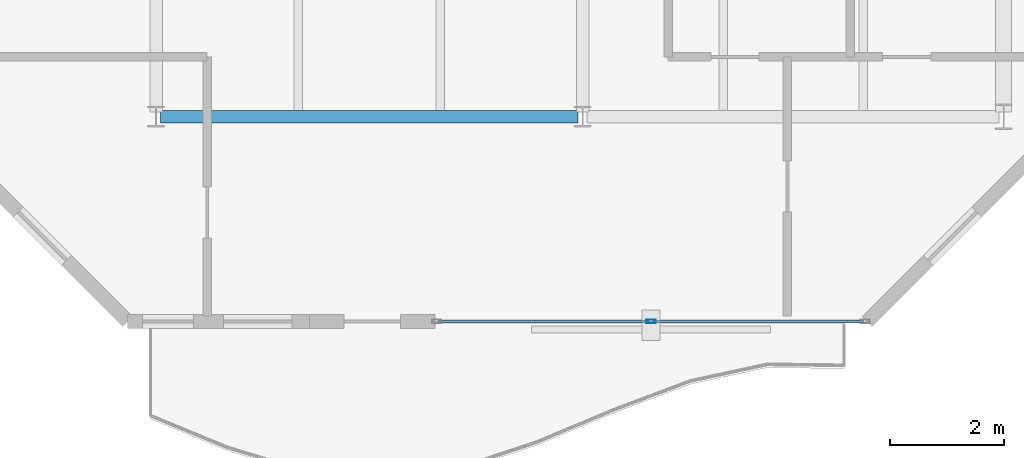
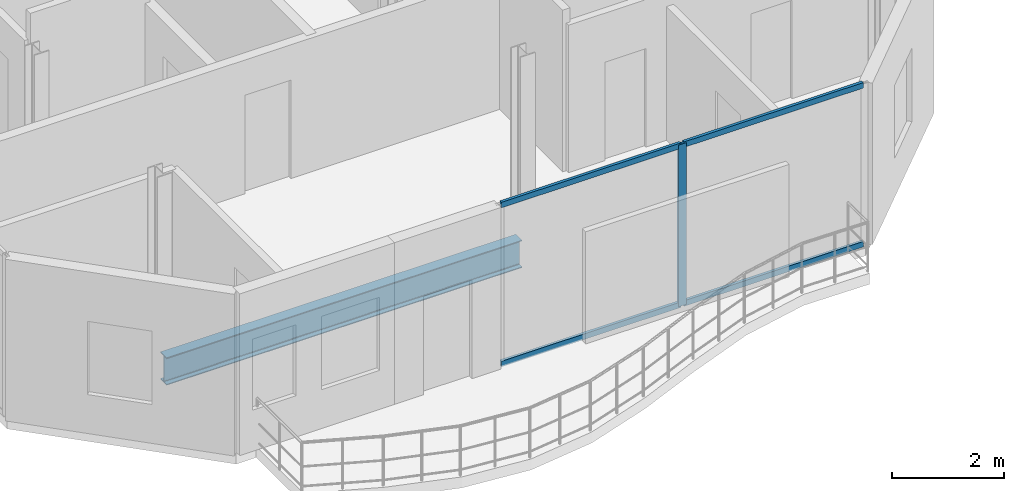
# One storey, part 4 of 22: 5 members, 1 beam, 1 element without a shape of its own.
"""IFC4 building model written with IfcOpenShell, lengths in metres."""

from ifc_helpers import new_model, si_unit, direction, frame, origin, origin_2d, place, context, subcontext, project, spatial, hollow_rectangle, i_section, extrude, material, layer, layer_set, material_profile, profile_set, type_object, element, aggregate, save


model = new_model("IFC4")

# Units and contexts
model_context = context("Model", 3, precision=1e-05, world=origin(), true_north=direction((0.0, 1.0)))
body_context = subcontext(model_context, "Body", "Model", "MODEL_VIEW")
ifc_project = project(units=[si_unit("LENGTHUNIT", "METRE"), si_unit("AREAUNIT", "SQUARE_METRE"), si_unit("VOLUMEUNIT", "CUBIC_METRE"), si_unit("PLANEANGLEUNIT", "RADIAN"), si_unit("MASSUNIT", "GRAM", prefix="KILO")], contexts=[model_context])

# Site, building, storey
site_placement = place(None, origin())
site = spatial("IfcSite", under=ifc_project, at=site_placement, CompositionType="ELEMENT")
building_placement = place(site_placement, origin())
building = spatial("IfcBuilding", under=site, at=building_placement, Name="Catumbela Crestline Tower", CompositionType="ELEMENT")
storey_placement = place(building_placement, frame((0.0, 0.0, 226.0)))
storey = spatial("IfcBuildingStorey", under=building, at=storey_placement, Name="L58", CompositionType="ELEMENT", Elevation=226.0)

# Beam
ifc_material_1 = material(Name="Structural steel S355J2", Category="steel")
ifc_material_profile_1 = material_profile(ifc_material_1, i_section(OverallWidth=0.22, OverallDepth=0.6, WebThickness=0.012, FlangeThickness=0.019, FilletRadius=0.024, at=origin_2d()), Name="IPE 600")
ifc_profile_set_1 = profile_set([ifc_material_profile_1], Name="Structural steel S355J2")
beam_type = type_object("IfcBeamType", Name="BG-IPE600", PredefinedType="BEAM", material=ifc_profile_set_1)
beam_placement = place(storey_placement, frame((8.58, 13.6, -0.56), z_axis=(1.0, 0.0, 0.0), x_axis=(0.0, 1.0, 0.0)))
element("IfcBeam", 1, at=beam_placement, inside=storey, type_object=beam_type, Name="L58 Beam BM-L58-WEW27", PredefinedType="BEAM", context=body_context, shape_type="SweptSolid", body=[
    extrude(i_section(OverallWidth=0.22, OverallDepth=0.6, WebThickness=0.012, FlangeThickness=0.019, FilletRadius=0.024, at=origin_2d()), origin(), (0.0, 0.0, 1.0), 7.34),
])

# Curtain wall, members
ifc_material_2 = material(Name="Aluminium alloy AW-6060-T66", Category="aluminium")
ifc_layer = layer(ifc_material_2, 0.18, Name="Aluminium alloy AW-6060-T66")
ifc_layer_set = layer_set([ifc_layer], Name="Aluminium alloy AW-6060-T66")
curtain_wall_type = type_object("IfcCurtainWallType", Name="CWU-Z4", PredefinedType="USERDEFINED", material=ifc_layer_set)
curtain_wall_placement = place(storey_placement, origin())
curtain_wall = element("IfcCurtainWall", 2, at=curtain_wall_placement, inside=storey, type_object=curtain_wall_type, Name="L58 Unitised Curtain Wall CW-L58-E0S2", ObjectType="UNITISED", PredefinedType="USERDEFINED")
ifc_material_profile_2 = material_profile(ifc_material_2, hollow_rectangle(XDim=0.06, YDim=0.16, WallThickness=0.004, at=origin_2d()), Name="ALU 160x60x4")
ifc_profile_set_2 = profile_set([ifc_material_profile_2], Name="Aluminium alloy AW-6060-T66")
member_type_1 = type_object("IfcMemberType", Name="MUL-160X60", PredefinedType="MULLION", material=ifc_profile_set_2)
member_1_placement = place(storey_placement, frame((17.2, 10.0, 0.0), z_axis=(0.0, 0.0, 1.0), x_axis=(0.0, 1.0, 0.0)))
member_1 = element("IfcMember", 3, at=member_1_placement, type_object=member_type_1, Name="CWU-Z4 mullion 2", PredefinedType="MULLION", context=body_context, shape_type="SweptSolid", body=[
    extrude(hollow_rectangle(XDim=0.06, YDim=0.16, WallThickness=0.004, at=origin_2d()), origin(), (0.0, 0.0, 1.0), 3.53),
])
ifc_material_profile_3 = material_profile(ifc_material_2, hollow_rectangle(XDim=0.06, YDim=0.12, WallThickness=0.0035, at=origin_2d()), Name="ALU 120x60x3.5")
ifc_profile_set_3 = profile_set([ifc_material_profile_3], Name="Aluminium alloy AW-6060-T66")
member_type_2 = type_object("IfcMemberType", Name="TRN-120X60", PredefinedType="USERDEFINED", material=ifc_profile_set_3)
member_2_placement = place(storey_placement, frame((13.465, 10.0, 0.03), z_axis=(1.0, 0.0, 0.0), x_axis=(0.0, 1.0, 0.0)))
member_2 = element("IfcMember", 4, at=member_2_placement, type_object=member_type_2, Name="CWU-Z4 transom 1.1", ObjectType="TRANSOM", PredefinedType="USERDEFINED", context=body_context, shape_type="SweptSolid", body=[
    extrude(hollow_rectangle(XDim=0.06, YDim=0.12, WallThickness=0.0035, at=origin_2d()), origin(), (0.0, 0.0, 1.0), 3.7025),
])
member_3_placement = place(storey_placement, frame((13.465, 10.0, 3.5), z_axis=(1.0, 0.0, 0.0), x_axis=(0.0, 1.0, 0.0)))
member_3 = element("IfcMember", 5, at=member_3_placement, type_object=member_type_2, Name="CWU-Z4 transom 1.2", ObjectType="TRANSOM", PredefinedType="USERDEFINED", context=body_context, shape_type="SweptSolid", body=[
    extrude(hollow_rectangle(XDim=0.06, YDim=0.12, WallThickness=0.0035, at=origin_2d()), origin(), (0.0, 0.0, 1.0), 3.7025),
])
member_4_placement = place(storey_placement, frame((17.2325, 10.0, 0.03), z_axis=(1.0, 0.0, 0.0), x_axis=(0.0, 1.0, 0.0)))
member_4 = element("IfcMember", 6, at=member_4_placement, type_object=member_type_2, Name="CWU-Z4 transom 2.1", ObjectType="TRANSOM", PredefinedType="USERDEFINED", context=body_context, shape_type="SweptSolid", body=[
    extrude(hollow_rectangle(XDim=0.06, YDim=0.12, WallThickness=0.0035, at=origin_2d()), origin(), (0.0, 0.0, 1.0), 3.7025),
])
member_5_placement = place(storey_placement, frame((17.2325, 10.0, 3.5), z_axis=(1.0, 0.0, 0.0), x_axis=(0.0, 1.0, 0.0)))
member_5 = element("IfcMember", 7, at=member_5_placement, type_object=member_type_2, Name="CWU-Z4 transom 2.2", ObjectType="TRANSOM", PredefinedType="USERDEFINED", context=body_context, shape_type="SweptSolid", body=[
    extrude(hollow_rectangle(XDim=0.06, YDim=0.12, WallThickness=0.0035, at=origin_2d()), origin(), (0.0, 0.0, 1.0), 3.7025),
])
aggregate(curtain_wall, [member_1, member_2, member_3, member_4, member_5])

save(model, "model.ifc")
